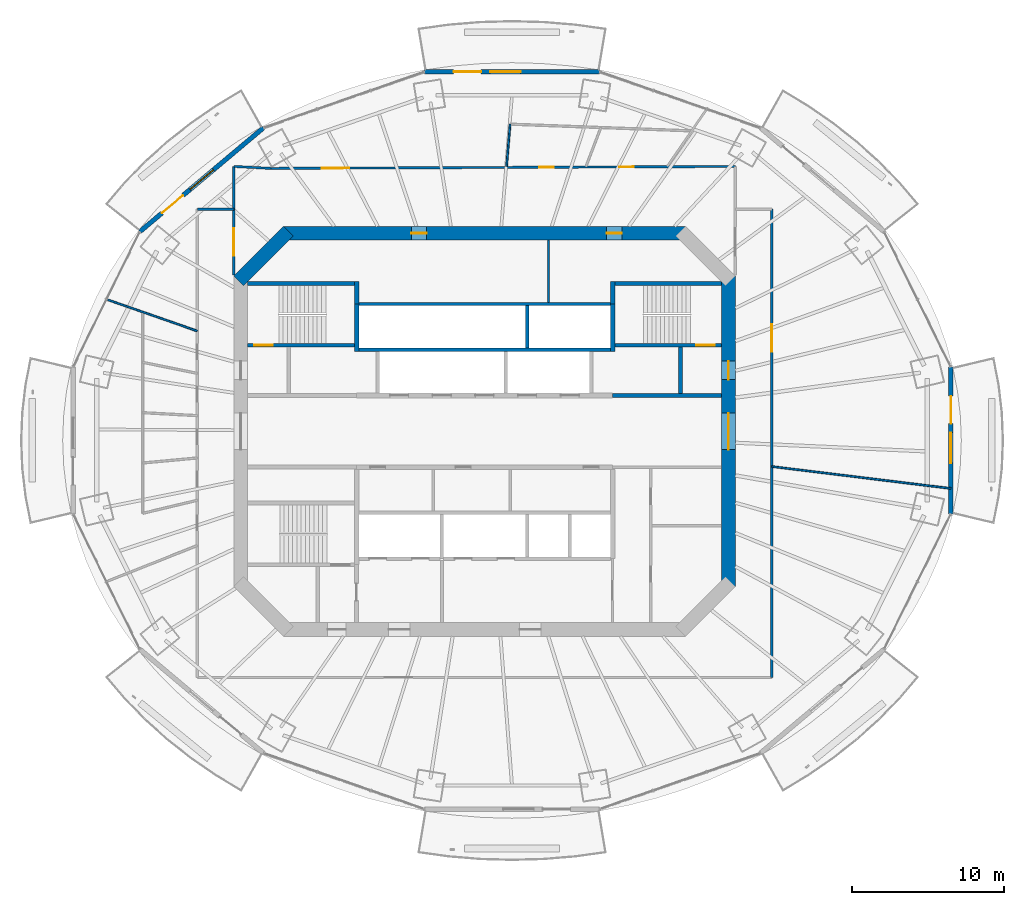
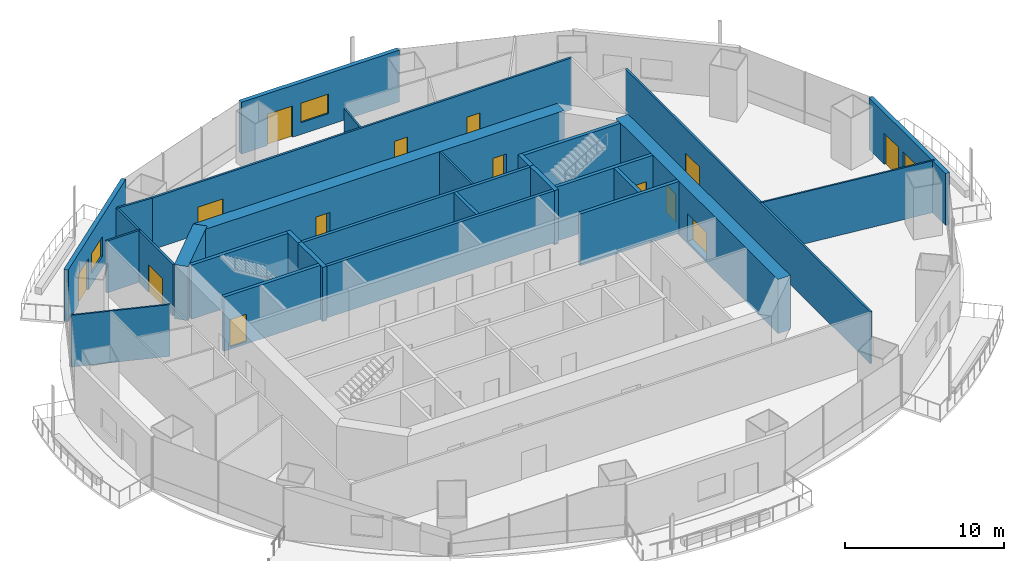
# One storey, part 12 of 18: 28 walls, 14 doors, 3 windows, 17 openings.
"""IFC4 building model written with IfcOpenShell, lengths in metres."""

from ifc_helpers import new_model, si_unit, direction, frame, frame_2d, origin, place, context, subcontext, project, spatial, rectangle, extrude, material, layer, layer_set, type_object, element, fill, save


model = new_model("IFC4")

# Units and contexts
model_context = context("Model", 3, precision=1e-05, world=origin(), true_north=direction((0.0, 1.0)))
body_context = subcontext(model_context, "Body", "Model", "MODEL_VIEW")
ifc_project = project(units=[si_unit("LENGTHUNIT", "METRE"), si_unit("AREAUNIT", "SQUARE_METRE"), si_unit("VOLUMEUNIT", "CUBIC_METRE"), si_unit("PLANEANGLEUNIT", "RADIAN"), si_unit("MASSUNIT", "GRAM", prefix="KILO")], contexts=[model_context])

# Site, building, storey
site_placement = place(None, origin())
site = spatial("IfcSite", under=ifc_project, at=site_placement, CompositionType="ELEMENT")
building_placement = place(site_placement, origin())
building = spatial("IfcBuilding", under=site, at=building_placement, Name="Marenthal Gate Tower", CompositionType="ELEMENT")
storey_placement = place(building_placement, frame((0.0, 0.0, 260.64990234375)))
storey = spatial("IfcBuildingStorey", under=building, at=storey_placement, Name="L58", CompositionType="ELEMENT", Elevation=260.64990234375)

# Wall, openings, doors
ifc_material_1 = material(Name="Concrete 60 MPa", Category="concrete")
ifc_layer_1 = layer(ifc_material_1, 0.89990234375)
ifc_layer_set_1 = layer_set([ifc_layer_1], Name="Core shear wall 900")
wall_type_1 = type_object("IfcWallType", Name="Core shear wall 900", PredefinedType="SHEAR", material=ifc_layer_set_1)
wall_1_placement = place(storey_placement, frame((16.0, -10.186279296875, -0.179931640625), z_axis=(0.0, 0.0, 1.0), x_axis=(0.0, 1.0, 0.0)))
wall_1 = element("IfcWall", 1, at=wall_1_placement, inside=storey, type_object=wall_type_1, Name="Core wall 02", PredefinedType="SHEAR", context=body_context, shape_type="SweptSolid", body=[
    extrude(rectangle(XDim=20.37255859375, YDim=0.89990234375, at=frame_2d((10.186279296875, 0.0))), origin(), (0.0, 0.0, 1.0), 4.150146484375),
])
opening_1_placement = place(wall_1_placement, frame((8.986328125, 0.0, 0.179931640625)))
opening_1 = element("IfcOpeningElement", 2, at=opening_1_placement, cuts=wall_1, Name="Opening D003.02", PredefinedType="OPENING", context=body_context, shape_type="SweptSolid", body=[
    extrude(rectangle(XDim=2.39990234375, YDim=2.10009765625, at=frame_2d((1.199951171875, 1.050048828125))), frame((0.0, 0.4599609375, 0.0), z_axis=(0.0, -1.0, 0.0), x_axis=(1.0, 0.0, 0.0)), (0.0, 0.0, 1.0), 0.919921875),
])
opening_2_placement = place(wall_1_placement, frame((13.58642578125, 0.0, 0.179931640625)))
opening_2 = element("IfcOpeningElement", 3, at=opening_2_placement, cuts=wall_1, Name="Opening D001.05", PredefinedType="OPENING", context=body_context, shape_type="SweptSolid", body=[
    extrude(rectangle(XDim=1.199951171875, YDim=2.10009765625, at=frame_2d((0.60009765625, 1.050048828125))), frame((0.0, 0.4599609375, 0.0), z_axis=(0.0, -1.0, 0.0), x_axis=(1.0, 0.0, 0.0)), (0.0, 0.0, 1.0), 0.919921875),
])
ifc_material_2 = material(Name="Steel fire door", Category="steel")
door_type_1 = type_object("IfcDoorType", Name="Double fire door FD 45 2400 x 2100", OperationType="DOUBLE_DOOR_SINGLE_SWING", PredefinedType="DOOR", material=ifc_material_2)
door_1_placement = place(opening_1_placement, origin())
door_1 = element("IfcDoor", 4, at=door_1_placement, inside=storey, type_object=door_type_1, Name="Door D003.02", OperationType="DOUBLE_DOOR_SINGLE_SWING", OverallHeight=2.10009765625, OverallWidth=2.39990234375, PredefinedType="DOOR", context=body_context, shape_type="SweptSolid", body=[
    extrude(rectangle(XDim=2.39990234375, YDim=2.10009765625, at=frame_2d((1.199951171875, 1.050048828125))), frame((0.0, 0.02490234375, 0.0), z_axis=(0.0, -1.0, 0.0), x_axis=(1.0, 0.0, 0.0)), (0.0, 0.0, 1.0), 0.050048828125),
])
fill(opening_1, door_1)
ifc_material_3 = material(Name="Steel fire door", Category="steel")
door_type_2 = type_object("IfcDoorType", Name="Fire door FD 90 1200 x 2100", OperationType="NOTDEFINED", PredefinedType="DOOR", material=ifc_material_3)
door_2_placement = place(opening_2_placement, origin())
door_2 = element("IfcDoor", 5, at=door_2_placement, inside=storey, type_object=door_type_2, Name="Door D001.05", OperationType="SINGLE_SWING_RIGHT", OverallHeight=2.10009765625, OverallWidth=1.199951171875, PredefinedType="DOOR", context=body_context, shape_type="SweptSolid", body=[
    extrude(rectangle(XDim=1.199951171875, YDim=2.10009765625, at=frame_2d((0.60009765625, 1.050048828125))), frame((0.0, 0.02490234375, 0.0), z_axis=(0.0, -1.0, 0.0), x_axis=(1.0, 0.0, 0.0)), (0.0, 0.0, 1.0), 0.050048828125),
])
fill(opening_2, door_2)

wall_2_placement = place(storey_placement, frame((13.186279296875, 13.0, -0.179931640625), z_axis=(0.0, 0.0, 1.0), x_axis=(-1.0, 0.0, 0.0)))
wall_2 = element("IfcWall", 6, at=wall_2_placement, inside=storey, type_object=wall_type_1, Name="Core wall 04", PredefinedType="SHEAR", context=body_context, shape_type="SweptSolid", body=[
    extrude(rectangle(XDim=26.37255859375, YDim=0.89990234375, at=frame_2d((13.186279296875, 0.0))), origin(), (0.0, 0.0, 1.0), 4.150146484375),
])
opening_3_placement = place(wall_2_placement, frame((16.993408203125, 0.0, 0.179931640625)))
opening_3 = element("IfcOpeningElement", 7, at=opening_3_placement, cuts=wall_2, Name="Opening D005.04", PredefinedType="OPENING", context=body_context, shape_type="SweptSolid", body=[
    extrude(rectangle(XDim=1.0, YDim=2.10009765625, at=frame_2d((0.5, 1.050048828125))), frame((0.0, 0.4599609375, 0.0), z_axis=(0.0, -1.0, 0.0), x_axis=(1.0, 0.0, 0.0)), (0.0, 0.0, 1.0), 0.919921875),
])
opening_4_placement = place(wall_2_placement, frame((4.179443359375, 0.0, 0.179931640625)))
opening_4 = element("IfcOpeningElement", 8, at=opening_4_placement, cuts=wall_2, Name="Opening D005.05", PredefinedType="OPENING", context=body_context, shape_type="SweptSolid", body=[
    extrude(rectangle(XDim=1.0, YDim=2.10009765625, at=frame_2d((0.5, 1.050048828125))), frame((0.0, 0.4599609375, 0.0), z_axis=(0.0, -1.0, 0.0), x_axis=(1.0, 0.0, 0.0)), (0.0, 0.0, 1.0), 0.919921875),
])
ifc_material_4 = material(Name="Steel fire door", Category="steel")
door_type_3 = type_object("IfcDoorType", Name="Fire door FD 45 1000 x 2100", OperationType="NOTDEFINED", PredefinedType="DOOR", material=ifc_material_4)
door_3_placement = place(opening_3_placement, origin())
door_3 = element("IfcDoor", 9, at=door_3_placement, inside=storey, type_object=door_type_3, Name="Door D005.04", OperationType="SINGLE_SWING_RIGHT", OverallHeight=2.10009765625, OverallWidth=1.0, PredefinedType="DOOR", context=body_context, shape_type="SweptSolid", body=[
    extrude(rectangle(XDim=1.0, YDim=2.10009765625, at=frame_2d((0.5, 1.050048828125))), frame((0.0, 0.02490234375, 0.0), z_axis=(0.0, -1.0, 0.0), x_axis=(1.0, 0.0, 0.0)), (0.0, 0.0, 1.0), 0.050048828125),
])
fill(opening_3, door_3)
door_4_placement = place(opening_4_placement, origin())
door_4 = element("IfcDoor", 10, at=door_4_placement, inside=storey, type_object=door_type_3, Name="Door D005.05", OperationType="SINGLE_SWING_RIGHT", OverallHeight=2.10009765625, OverallWidth=1.0, PredefinedType="DOOR", context=body_context, shape_type="SweptSolid", body=[
    extrude(rectangle(XDim=1.0, YDim=2.10009765625, at=frame_2d((0.5, 1.050048828125))), frame((0.0, 0.02490234375, 0.0), z_axis=(0.0, -1.0, 0.0), x_axis=(1.0, 0.0, 0.0)), (0.0, 0.0, 1.0), 0.050048828125),
])
fill(opening_4, door_4)

# Walls
wall_3_placement = place(storey_placement, frame((-12.8681640625, 13.1318359375, -0.179931640625), z_axis=(0.0, 0.0, 1.0), x_axis=(-0.707106781187, -0.707106781187, 0.0)))
element("IfcWall", 11, at=wall_3_placement, inside=storey, type_object=wall_type_1, Name="Core wall 05", PredefinedType="SHEAR", context=body_context, shape_type="SweptSolid", body=[
    extrude(rectangle(XDim=4.615478515625, YDim=0.89990234375, at=frame_2d((2.3076171875, 0.0))), origin(), (0.0, 0.0, 1.0), 4.150146484375),
])
ifc_material_5 = material(Name="Concrete 50 MPa", Category="concrete")
ifc_layer_2 = layer(ifc_material_5, 0.300048828125)
ifc_layer_set_2 = layer_set([ifc_layer_2], Name="Hoistway shear wall 300")
wall_type_2 = type_object("IfcWallType", Name="Hoistway shear wall 300", PredefinedType="SHEAR", material=ifc_layer_set_2)
for number, where, z_axis, x_axis, name in (
    (12, (-8.39990234375, 5.239990234375, -0.179931640625), (0.0, 0.0, 1.0), (0.0, 1.0, 0.0), "Hoistway wall 31"),
    (13, (8.39990234375, 5.239990234375, -0.179931640625), (0.0, 0.0, 1.0), (0.0, 1.0, 0.0), "Hoistway wall 46"),
):
    element("IfcWall", number, at=place(storey_placement, frame(where, z_axis=z_axis, x_axis=x_axis)), inside=storey, type_object=wall_type_2, Name=name, PredefinedType="SHEAR", context=body_context, shape_type="SweptSolid", body=[
        extrude(rectangle(XDim=3.110107421875, YDim=0.300048828125, at=frame_2d((1.55517578125, 0.0))), origin(), (0.0, 0.0, 1.0), 4.150146484375),
    ])
ifc_material_6 = material(Name="Concrete 40 MPa", Category="concrete")
ifc_layer_3 = layer(ifc_material_6, 0.219970703125)
ifc_layer_set_3 = layer_set([ifc_layer_3], Name="Hoistway wall 220")
wall_type_3 = type_object("IfcWallType", Name="Hoistway wall 220", PredefinedType="STANDARD", material=ifc_layer_set_3)
for number, where, z_axis, x_axis, name in (
    (14, (-8.25, 5.35009765625, 0.0), (0.0, 0.0, 1.0), (1.0, 0.0, 0.0), "Hoistway wall 21"),
    (15, (-8.25, 8.35009765625, 0.0), (0.0, 0.0, 1.0), (1.0, 0.0, 0.0), "Hoistway wall 24"),
):
    element("IfcWall", number, at=place(storey_placement, frame(where, z_axis=z_axis, x_axis=x_axis)), inside=storey, type_object=wall_type_3, Name=name, PredefinedType="STANDARD", context=body_context, shape_type="SweptSolid", body=[
        extrude(rectangle(XDim=16.5, YDim=0.219970703125, at=frame_2d((8.25, 0.0))), origin(), (0.0, 0.0, 1.0), 3.97021484375),
    ])
wall_4_placement = place(storey_placement, frame((2.800048828125, 5.4599609375, 0.0), z_axis=(0.0, 0.0, 1.0), x_axis=(0.0, 1.0, 0.0)))
element("IfcWall", 16, at=wall_4_placement, inside=storey, type_object=wall_type_3, Name="Hoistway wall 40", PredefinedType="STANDARD", context=body_context, shape_type="SweptSolid", body=[
    extrude(rectangle(XDim=2.780029296875, YDim=0.219970703125, at=frame_2d((1.39013671875, 0.0))), origin(), (0.0, 0.0, 1.0), 3.97021484375),
])
ifc_material_7 = material(Name="Gypsum board on steel studs", Category="steel")
ifc_layer_4 = layer(ifc_material_7, 0.1201171875)
ifc_layer_set_4 = layer_set([ifc_layer_4], Name="Partition 120")
wall_type_4 = type_object("IfcWallType", Name="Partition 120", PredefinedType="PARTITIONING", material=ifc_layer_set_4)
wall_5_placement = place(storey_placement, frame((-18.85009765625, 6.580078125, 0.0), z_axis=(0.0, 0.0, 1.0), x_axis=(-0.944129608836, 0.329574394819, 0.0)))
element("IfcWall", 17, at=wall_5_placement, inside=storey, type_object=wall_type_4, Name="Partition wall 57", PredefinedType="PARTITIONING", context=body_context, shape_type="SweptSolid", body=[
    extrude(rectangle(XDim=6.306884765625, YDim=0.1201171875, at=frame_2d((3.1533203125, 0.0))), origin(), (0.0, 0.0, 1.0), 3.97021484375),
])
wall_6_placement = place(storey_placement, frame((1.67431640625, 20.154052734375, 0.0), z_axis=(0.0, 0.0, 1.0), x_axis=(-0.082798678208, -0.996566294276, 0.0)))
element("IfcWall", 18, at=wall_6_placement, inside=storey, type_object=wall_type_4, Name="Partition wall 62", PredefinedType="PARTITIONING", context=body_context, shape_type="SweptSolid", body=[
    extrude(rectangle(XDim=2.783447265625, YDim=0.1201171875, at=frame_2d((1.3916015625, 0.0))), origin(), (0.0, 0.0, 1.0), 3.552978515625),
])
wall_7_placement = place(storey_placement, frame((18.85009765625, -2.310302734375, 0.0), z_axis=(0.0, 0.0, 1.0), x_axis=(0.99257271965, -0.121652769002, 0.0)))
element("IfcWall", 19, at=wall_7_placement, inside=storey, type_object=wall_type_4, Name="Partition wall 69", PredefinedType="PARTITIONING", context=body_context, shape_type="SweptSolid", body=[
    extrude(rectangle(XDim=11.83447265625, YDim=0.1201171875, at=frame_2d((5.917236328125, 0.0))), origin(), (0.0, 0.0, 1.0), 3.97021484375),
])
ifc_material_8 = material(Name="Gypsum board on steel studs", Category="steel")
ifc_layer_5 = layer(ifc_material_8, 0.14990234375)
ifc_layer_set_5 = layer_set([ifc_layer_5], Name="Partition 150")
wall_type_5 = type_object("IfcWallType", Name="Partition 150", PredefinedType="PARTITIONING", material=ifc_layer_set_5)
wall_8_placement = place(storey_placement, frame((4.199951171875, 8.4599609375, 0.0), z_axis=(0.0, 0.0, 1.0), x_axis=(0.0, 1.0, 0.0)))
element("IfcWall", 20, at=wall_8_placement, inside=storey, type_object=wall_type_5, Name="Partition wall 41", PredefinedType="PARTITIONING", context=body_context, shape_type="SweptSolid", body=[
    extrude(rectangle(XDim=4.090087890625, YDim=0.14990234375, at=frame_2d((2.044921875, 0.0))), origin(), (0.0, 0.0, 1.0), 3.97021484375),
])
wall_9_placement = place(storey_placement, frame((-18.85009765625, 14.580078125, 0.0), z_axis=(0.0, 0.0, 1.0), x_axis=(1.0, 0.0, 0.0)))
element("IfcWall", 21, at=wall_9_placement, inside=storey, type_object=wall_type_5, Name="Partition wall 58", PredefinedType="PARTITIONING", context=body_context, shape_type="SweptSolid", body=[
    extrude(rectangle(XDim=2.400146484375, YDim=0.14990234375, at=frame_2d((1.2001953125, 0.0))), origin(), (0.0, 0.0, 1.0), 3.97021484375),
])

# Wall, opening, door
wall_10_placement = place(storey_placement, frame((-16.449951171875, 10.25, 0.0), z_axis=(0.0, 0.0, 1.0), x_axis=(0.0, 1.0, 0.0)))
wall_10 = element("IfcWall", 22, at=wall_10_placement, inside=storey, type_object=wall_type_5, Name="Partition wall 59", PredefinedType="PARTITIONING", context=body_context, shape_type="SweptSolid", body=[
    extrude(rectangle(XDim=7.130126953125, YDim=0.14990234375, at=frame_2d((3.56494140625, 0.0))), origin(), (0.0, 0.0, 1.0), 3.97021484375),
])
opening_5_placement = place(wall_10_placement, frame((1.264892578125, 0.0, 0.0)))
opening_5 = element("IfcOpeningElement", 23, at=opening_5_placement, cuts=wall_10, Name="Opening D014.04", PredefinedType="OPENING", context=body_context, shape_type="SweptSolid", body=[
    extrude(rectangle(XDim=1.800048828125, YDim=2.10009765625, at=frame_2d((0.89990234375, 1.050048828125))), frame((0.0, 0.0849609375, 0.0), z_axis=(0.0, -1.0, 0.0), x_axis=(1.0, 0.0, 0.0)), (0.0, 0.0, 1.0), 0.169921875),
])
ifc_material_9 = material(Name="Timber door", Category="wood")
door_type_4 = type_object("IfcDoorType", Name="Double door 1800 x 2100", OperationType="DOUBLE_DOOR_SINGLE_SWING", PredefinedType="DOOR", material=ifc_material_9)
door_5_placement = place(opening_5_placement, origin())
door_5 = element("IfcDoor", 24, at=door_5_placement, inside=storey, type_object=door_type_4, Name="Door D014.04", OperationType="DOUBLE_DOOR_SINGLE_SWING", OverallHeight=2.10009765625, OverallWidth=1.800048828125, PredefinedType="DOOR", context=body_context, shape_type="SweptSolid", body=[
    extrude(rectangle(XDim=1.800048828125, YDim=2.10009765625, at=frame_2d((0.89990234375, 1.050048828125))), frame((0.0, 0.02490234375, 0.0), z_axis=(0.0, -1.0, 0.0), x_axis=(1.0, 0.0, 0.0)), (0.0, 0.0, 1.0), 0.050048828125),
])
fill(opening_5, door_5)

# Wall
wall_11_placement = place(storey_placement, frame((-16.449951171875, 17.380126953125, 0.0), z_axis=(0.0, 0.0, 1.0), x_axis=(0.998580451671, -0.05326426138, 0.0)))
element("IfcWall", 25, at=wall_11_placement, inside=storey, type_object=wall_type_5, Name="Partition wall 60", PredefinedType="PARTITIONING", context=body_context, shape_type="SweptSolid", body=[
    extrude(rectangle(XDim=2.4521484375, YDim=0.14990234375, at=frame_2d((1.22607421875, 0.0))), origin(), (0.0, 0.0, 1.0), 3.97021484375),
])

# Wall, openings, doors
wall_12_placement = place(storey_placement, frame((-14.001220703125, 17.24951171875, 0.0), z_axis=(0.0, 0.0, 1.0), x_axis=(0.999990800936, 0.004289294132, 0.0)))
wall_12 = element("IfcWall", 26, at=wall_12_placement, inside=storey, type_object=wall_type_5, Name="Partition wall 61", PredefinedType="PARTITIONING", context=body_context, shape_type="SweptSolid", body=[
    extrude(rectangle(XDim=30.451416015625, YDim=0.14990234375, at=frame_2d((15.2255859375, 0.0))), origin(), (0.0, 0.0, 1.0), 3.97021484375),
])
opening_6_placement = place(wall_12_placement, frame((22.843994140625, 0.0, 0.0)))
opening_6 = element("IfcOpeningElement", 27, at=opening_6_placement, cuts=wall_12, Name="Opening D016.01", PredefinedType="OPENING", context=body_context, shape_type="SweptSolid", body=[
    extrude(rectangle(XDim=0.949951171875, YDim=2.10009765625, at=frame_2d((0.47509765625, 1.050048828125))), frame((0.0, 0.0849609375, 0.0), z_axis=(0.0, -1.0, 0.0), x_axis=(1.0, 0.0, 0.0)), (0.0, 0.0, 1.0), 0.169921875),
])
opening_7_placement = place(wall_12_placement, frame((17.575927734375, 0.0, 0.0)))
opening_7 = element("IfcOpeningElement", 28, at=opening_7_placement, cuts=wall_12, Name="Opening D016.02", PredefinedType="OPENING", context=body_context, shape_type="SweptSolid", body=[
    extrude(rectangle(XDim=0.949951171875, YDim=2.10009765625, at=frame_2d((0.47509765625, 1.050048828125))), frame((0.0, 0.0849609375, 0.0), z_axis=(0.0, -1.0, 0.0), x_axis=(1.0, 0.0, 0.0)), (0.0, 0.0, 1.0), 0.169921875),
])
opening_8_placement = place(wall_12_placement, frame((3.318115234375, 0.0, 0.0)))
opening_8 = element("IfcOpeningElement", 29, at=opening_8_placement, cuts=wall_12, Name="Opening D014.01", PredefinedType="OPENING", context=body_context, shape_type="SweptSolid", body=[
    extrude(rectangle(XDim=1.800048828125, YDim=2.10009765625, at=frame_2d((0.89990234375, 1.050048828125))), frame((0.0, 0.0849609375, 0.0), z_axis=(0.0, -1.0, 0.0), x_axis=(1.0, 0.0, 0.0)), (0.0, 0.0, 1.0), 0.169921875),
])
ifc_material_10 = material(Name="Timber door", Category="wood")
door_type_5 = type_object("IfcDoorType", Name="Door 950 x 2100", OperationType="NOTDEFINED", PredefinedType="DOOR", material=ifc_material_10)
door_6_placement = place(opening_6_placement, origin())
door_6 = element("IfcDoor", 30, at=door_6_placement, inside=storey, type_object=door_type_5, Name="Door D016.01", OperationType="SINGLE_SWING_RIGHT", OverallHeight=2.10009765625, OverallWidth=0.949951171875, PredefinedType="DOOR", context=body_context, shape_type="SweptSolid", body=[
    extrude(rectangle(XDim=0.949951171875, YDim=2.10009765625, at=frame_2d((0.47509765625, 1.050048828125))), frame((0.0, 0.02490234375, 0.0), z_axis=(0.0, -1.0, 0.0), x_axis=(1.0, 0.0, 0.0)), (0.0, 0.0, 1.0), 0.050048828125),
])
fill(opening_6, door_6)
door_7_placement = place(opening_7_placement, origin())
door_7 = element("IfcDoor", 31, at=door_7_placement, inside=storey, type_object=door_type_5, Name="Door D016.02", OperationType="SINGLE_SWING_RIGHT", OverallHeight=2.10009765625, OverallWidth=0.949951171875, PredefinedType="DOOR", context=body_context, shape_type="SweptSolid", body=[
    extrude(rectangle(XDim=0.949951171875, YDim=2.10009765625, at=frame_2d((0.47509765625, 1.050048828125))), frame((0.0, 0.02490234375, 0.0), z_axis=(0.0, -1.0, 0.0), x_axis=(1.0, 0.0, 0.0)), (0.0, 0.0, 1.0), 0.050048828125),
])
fill(opening_7, door_7)
door_8_placement = place(opening_8_placement, origin())
door_8 = element("IfcDoor", 32, at=door_8_placement, inside=storey, type_object=door_type_4, Name="Door D014.01", OperationType="DOUBLE_DOOR_SINGLE_SWING", OverallHeight=2.10009765625, OverallWidth=1.800048828125, PredefinedType="DOOR", context=body_context, shape_type="SweptSolid", body=[
    extrude(rectangle(XDim=1.800048828125, YDim=2.10009765625, at=frame_2d((0.89990234375, 1.050048828125))), frame((0.0, 0.02490234375, 0.0), z_axis=(0.0, -1.0, 0.0), x_axis=(1.0, 0.0, 0.0)), (0.0, 0.0, 1.0), 0.050048828125),
])
fill(opening_8, door_8)

# Wall, opening, door
wall_13_placement = place(storey_placement, frame((18.85009765625, 14.580078125, 0.0), z_axis=(0.0, 0.0, 1.0), x_axis=(0.0, -1.0, 0.0)))
wall_13 = element("IfcWall", 33, at=wall_13_placement, inside=storey, type_object=wall_type_5, Name="Partition wall 70", PredefinedType="PARTITIONING", context=body_context, shape_type="SweptSolid", body=[
    extrude(rectangle(XDim=30.72998046875, YDim=0.14990234375, at=frame_2d((15.364990234375, 0.0))), origin(), (0.0, 0.0, 1.0), 3.97021484375),
])
opening_9_placement = place(wall_13_placement, frame((7.544921875, 0.0, 0.0)))
opening_9 = element("IfcOpeningElement", 34, at=opening_9_placement, cuts=wall_13, Name="Opening D014.03", PredefinedType="OPENING", context=body_context, shape_type="SweptSolid", body=[
    extrude(rectangle(XDim=1.800048828125, YDim=2.10009765625, at=frame_2d((0.89990234375, 1.050048828125))), frame((0.0, 0.0849609375, 0.0), z_axis=(0.0, -1.0, 0.0), x_axis=(1.0, 0.0, 0.0)), (0.0, 0.0, 1.0), 0.169921875),
])
door_9_placement = place(opening_9_placement, origin())
door_9 = element("IfcDoor", 35, at=door_9_placement, inside=storey, type_object=door_type_4, Name="Door D014.03", OperationType="DOUBLE_DOOR_SINGLE_SWING", OverallHeight=2.10009765625, OverallWidth=1.800048828125, PredefinedType="DOOR", context=body_context, shape_type="SweptSolid", body=[
    extrude(rectangle(XDim=1.800048828125, YDim=2.10009765625, at=frame_2d((0.89990234375, 1.050048828125))), frame((0.0, 0.02490234375, 0.0), z_axis=(0.0, -1.0, 0.0), x_axis=(1.0, 0.0, 0.0)), (0.0, 0.0, 1.0), 0.050048828125),
])
fill(opening_9, door_9)

# Walls
ifc_material_11 = material(Name="Concrete 40 MPa", Category="concrete")
ifc_layer_6 = layer(ifc_material_11, 0.25)
ifc_layer_set_6 = layer_set([ifc_layer_6], Name="Stair enclosure wall 250")
wall_type_6 = type_object("IfcWallType", Name="Stair enclosure wall 250", PredefinedType="STANDARD", material=ifc_layer_set_6)
wall_14_placement = place(storey_placement, frame((8.39990234375, 2.35009765625, 0.0), z_axis=(0.0, 0.0, 1.0), x_axis=(1.0, 0.0, 0.0)))
element("IfcWall", 36, at=wall_14_placement, inside=storey, type_object=wall_type_6, Name="Stair wall 20", PredefinedType="STANDARD", context=body_context, shape_type="SweptSolid", body=[
    extrude(rectangle(XDim=7.150146484375, YDim=0.25, at=frame_2d((3.5751953125, 0.0))), origin(), (0.0, 0.0, 1.0), 3.97021484375),
])
wall_15_placement = place(storey_placement, frame((12.85009765625, 2.47509765625, 0.0), z_axis=(0.0, 0.0, 1.0), x_axis=(0.0, 1.0, 0.0)))
element("IfcWall", 37, at=wall_15_placement, inside=storey, type_object=wall_type_6, Name="Stair wall 49", PredefinedType="STANDARD", context=body_context, shape_type="SweptSolid", body=[
    extrude(rectangle(XDim=3.0498046875, YDim=0.25, at=frame_2d((1.52490234375, 0.0))), origin(), (0.0, 0.0, 1.0), 3.97021484375),
])

# Wall, opening, door
ifc_material_12 = material(Name="Concrete 50 MPa", Category="concrete")
ifc_layer_7 = layer(ifc_material_12, 0.25)
ifc_layer_set_7 = layer_set([ifc_layer_7], Name="Stair shear wall 250")
wall_type_7 = type_object("IfcWallType", Name="Stair shear wall 250", PredefinedType="SHEAR", material=ifc_layer_set_7)
wall_16_placement = place(storey_placement, frame((-15.550048828125, 5.64990234375, -0.179931640625), z_axis=(0.0, 0.0, 1.0), x_axis=(1.0, 0.0, 0.0)))
wall_16 = element("IfcWall", 38, at=wall_16_placement, inside=storey, type_object=wall_type_7, Name="Stair wall 22", PredefinedType="SHEAR", context=body_context, shape_type="SweptSolid", body=[
    extrude(rectangle(XDim=7.0, YDim=0.25, at=frame_2d((3.5, 0.0))), origin(), (0.0, 0.0, 1.0), 4.150146484375),
])
opening_10_placement = place(wall_16_placement, frame((0.449951171875, 0.0, 0.179931640625)))
opening_10 = element("IfcOpeningElement", 39, at=opening_10_placement, cuts=wall_16, Name="Opening D001.01", PredefinedType="OPENING", context=body_context, shape_type="SweptSolid", body=[
    extrude(rectangle(XDim=1.199951171875, YDim=2.10009765625, at=frame_2d((0.60009765625, 1.050048828125))), frame((0.0, 0.135009765625, 0.0), z_axis=(0.0, -1.0, 0.0), x_axis=(1.0, 0.0, 0.0)), (0.0, 0.0, 1.0), 0.27001953125),
])
door_10_placement = place(opening_10_placement, origin())
door_10 = element("IfcDoor", 40, at=door_10_placement, inside=storey, type_object=door_type_2, Name="Door D001.01", OperationType="SINGLE_SWING_RIGHT", OverallHeight=2.10009765625, OverallWidth=1.199951171875, PredefinedType="DOOR", context=body_context, shape_type="SweptSolid", body=[
    extrude(rectangle(XDim=1.199951171875, YDim=2.10009765625, at=frame_2d((0.60009765625, 1.050048828125))), frame((0.0, 0.02490234375, 0.0), z_axis=(0.0, -1.0, 0.0), x_axis=(1.0, 0.0, 0.0)), (0.0, 0.0, 1.0), 0.050048828125),
])
fill(opening_10, door_10)

wall_17_placement = place(storey_placement, frame((8.550048828125, 5.64990234375, -0.179931640625), z_axis=(0.0, 0.0, 1.0), x_axis=(1.0, 0.0, 0.0)))
wall_17 = element("IfcWall", 41, at=wall_17_placement, inside=storey, type_object=wall_type_7, Name="Stair wall 23", PredefinedType="SHEAR", context=body_context, shape_type="SweptSolid", body=[
    extrude(rectangle(XDim=7.0, YDim=0.25, at=frame_2d((3.5, 0.0))), origin(), (0.0, 0.0, 1.0), 4.150146484375),
])
opening_11_placement = place(wall_17_placement, frame((5.35009765625, 0.0, 0.179931640625)))
opening_11 = element("IfcOpeningElement", 42, at=opening_11_placement, cuts=wall_17, Name="Opening D001.02", PredefinedType="OPENING", context=body_context, shape_type="SweptSolid", body=[
    extrude(rectangle(XDim=1.199951171875, YDim=2.10009765625, at=frame_2d((0.60009765625, 1.050048828125))), frame((0.0, 0.135009765625, 0.0), z_axis=(0.0, -1.0, 0.0), x_axis=(1.0, 0.0, 0.0)), (0.0, 0.0, 1.0), 0.27001953125),
])
door_11_placement = place(opening_11_placement, origin())
door_11 = element("IfcDoor", 43, at=door_11_placement, inside=storey, type_object=door_type_2, Name="Door D001.02", OperationType="SINGLE_SWING_RIGHT", OverallHeight=2.10009765625, OverallWidth=1.199951171875, PredefinedType="DOOR", context=body_context, shape_type="SweptSolid", body=[
    extrude(rectangle(XDim=1.199951171875, YDim=2.10009765625, at=frame_2d((0.60009765625, 1.050048828125))), frame((0.0, 0.02490234375, 0.0), z_axis=(0.0, -1.0, 0.0), x_axis=(1.0, 0.0, 0.0)), (0.0, 0.0, 1.0), 0.050048828125),
])
fill(opening_11, door_11)

# Walls
for number, where, z_axis, x_axis, name in (
    (44, (-15.550048828125, 9.699951171875, -0.179931640625), (0.0, 0.0, 1.0), (1.0, 0.0, 0.0), "Stair wall 25"),
    (45, (8.550048828125, 9.699951171875, -0.179931640625), (0.0, 0.0, 1.0), (1.0, 0.0, 0.0), "Stair wall 26"),
):
    element("IfcWall", number, at=place(storey_placement, frame(where, z_axis=z_axis, x_axis=x_axis)), inside=storey, type_object=wall_type_7, Name=name, PredefinedType="SHEAR", context=body_context, shape_type="SweptSolid", body=[
        extrude(rectangle(XDim=7.0, YDim=0.25, at=frame_2d((3.5, 0.0))), origin(), (0.0, 0.0, 1.0), 4.150146484375),
    ])
ifc_material_13 = material(Name="Concrete 50 MPa", Category="concrete")
ifc_layer_8 = layer(ifc_material_13, 0.300048828125)
ifc_layer_set_8 = layer_set([ifc_layer_8], Name="Stair shear wall 300")
wall_type_8 = type_object("IfcWallType", Name="Stair shear wall 300", PredefinedType="SHEAR", material=ifc_layer_set_8)
for number, where, z_axis, x_axis, name in (
    (46, (-8.39990234375, 8.35009765625, -0.179931640625), (0.0, 0.0, 1.0), (0.0, 1.0, 0.0), "Stair wall 32"),
    (47, (8.39990234375, 8.35009765625, -0.179931640625), (0.0, 0.0, 1.0), (0.0, 1.0, 0.0), "Stair wall 47"),
):
    element("IfcWall", number, at=place(storey_placement, frame(where, z_axis=z_axis, x_axis=x_axis)), inside=storey, type_object=wall_type_8, Name=name, PredefinedType="SHEAR", context=body_context, shape_type="SweptSolid", body=[
        extrude(rectangle(XDim=1.474853515625, YDim=0.300048828125, at=frame_2d((0.7373046875, 0.0))), origin(), (0.0, 0.0, 1.0), 4.150146484375),
    ])

# Wall, openings, door, window
ifc_material_14 = material(Name="Terracotta cladding on insulated concrete-block backing", Category="masonry")
ifc_layer_9 = layer(ifc_material_14, 0.300048828125)
ifc_layer_set_9 = layer_set([ifc_layer_9], Name="Terracotta facade wall 300")
wall_type_9 = type_object("IfcWallType", Name="Terracotta facade wall 300", PredefinedType="SOLIDWALL", material=ifc_layer_set_9)
wall_18_placement = place(storey_placement, frame((7.528076171875, 23.593994140625, 0.0), z_axis=(0.0, 0.0, 1.0), x_axis=(-1.0, 0.0, 0.0)))
wall_18 = element("IfcWall", 48, at=wall_18_placement, inside=storey, type_object=wall_type_9, Name="Terracotta facade wall L58 bay 4", PredefinedType="SOLIDWALL", context=body_context, shape_type="SweptSolid", body=[
    extrude(rectangle(XDim=11.4560546875, YDim=0.300048828125, at=frame_2d((5.72802734375, 0.0))), origin(), (0.0, 0.0, 1.0), 3.97021484375),
])
opening_12_placement = place(wall_18_placement, frame((7.756103515625, 0.0, 0.0)))
opening_12 = element("IfcOpeningElement", 49, at=opening_12_placement, cuts=wall_18, Name="Opening BD-L58-04", PredefinedType="OPENING", context=body_context, shape_type="SweptSolid", body=[
    extrude(rectangle(XDim=1.800048828125, YDim=2.39990234375, at=frame_2d((0.89990234375, 1.199951171875))), frame((0.0, 0.16015625, 0.0), z_axis=(0.0, -1.0, 0.0), x_axis=(1.0, 0.0, 0.0)), (0.0, 0.0, 1.0), 0.320068359375),
])
opening_13_placement = place(wall_18_placement, frame((5.156005859375, 0.0, 0.89990234375)))
opening_13 = element("IfcOpeningElement", 50, at=opening_13_placement, cuts=wall_18, Name="Opening WN2-L58-04", PredefinedType="OPENING", context=body_context, shape_type="SweptSolid", body=[
    extrude(rectangle(XDim=2.0, YDim=1.5, at=frame_2d((1.0, 0.75))), frame((0.0, 0.16015625, 0.0), z_axis=(0.0, -1.0, 0.0), x_axis=(1.0, 0.0, 0.0)), (0.0, 0.0, 1.0), 0.320068359375),
])
ifc_material_15 = material(Name="Aluminium and glass", Category="aluminium")
door_type_6 = type_object("IfcDoorType", Name="Balcony door 1800x2400", OperationType="DOUBLE_DOOR_SINGLE_SWING", PredefinedType="DOOR", material=ifc_material_15)
door_12_placement = place(opening_12_placement, origin())
door_12 = element("IfcDoor", 51, at=door_12_placement, inside=storey, type_object=door_type_6, Name="Balcony door L58 bay 4", OperationType="SINGLE_SWING_LEFT", OverallHeight=2.39990234375, OverallWidth=1.800048828125, PredefinedType="DOOR", context=body_context, shape_type="SweptSolid", body=[
    extrude(rectangle(XDim=1.800048828125, YDim=2.39990234375, at=frame_2d((0.89990234375, 1.199951171875))), frame((0.0, 0.02490234375, 0.0), z_axis=(0.0, -1.0, 0.0), x_axis=(1.0, 0.0, 0.0)), (0.0, 0.0, 1.0), 0.050048828125),
])
fill(opening_12, door_12)
ifc_material_16 = material(Name="Aluminium and glass", Category="aluminium")
window_type = type_object("IfcWindowType", Name="Window 2000x1500", PartitioningType="DOUBLE_PANEL_VERTICAL", PredefinedType="WINDOW", material=ifc_material_16)
window_1_placement = place(opening_13_placement, origin())
window_1 = element("IfcWindow", 52, at=window_1_placement, inside=storey, type_object=window_type, Name="Window L58 bay 4", OverallHeight=1.5, OverallWidth=2.0, PartitioningType="SINGLE_PANEL", PredefinedType="WINDOW", context=body_context, shape_type="SweptSolid", body=[
    extrude(rectangle(XDim=2.0, YDim=1.5, at=frame_2d((1.0, 0.75))), frame((0.0, 0.030029296875, 0.0), z_axis=(0.0, -1.0, 0.0), x_axis=(1.0, 0.0, 0.0)), (0.0, 0.0, 1.0), 0.06005859375),
])
fill(opening_13, window_1)

wall_19_placement = place(storey_placement, frame((-14.51220703125, 19.91064453125, 0.0), z_axis=(0.0, 0.0, 1.0), x_axis=(-0.76563894676, -0.643270552104, 0.0)))
wall_19 = element("IfcWall", 53, at=wall_19_placement, inside=storey, type_object=wall_type_9, Name="Terracotta facade wall L58 bay 6", PredefinedType="SOLIDWALL", context=body_context, shape_type="SweptSolid", body=[
    extrude(rectangle(XDim=10.580078125, YDim=0.300048828125, at=frame_2d((5.2900390625, 0.0))), origin(), (0.0, 0.0, 1.0), 3.97021484375),
])
opening_14_placement = place(wall_19_placement, frame((6.880126953125, 0.0, 0.0)))
opening_14 = element("IfcOpeningElement", 54, at=opening_14_placement, cuts=wall_19, Name="Opening BD-L58-06", PredefinedType="OPENING", context=body_context, shape_type="SweptSolid", body=[
    extrude(rectangle(XDim=1.800048828125, YDim=2.39990234375, at=frame_2d((0.89990234375, 1.199951171875))), frame((0.0, 0.16015625, 0.0), z_axis=(0.0, -1.0, 0.0), x_axis=(1.0, 0.0, 0.0)), (0.0, 0.0, 1.0), 0.320068359375),
])
opening_15_placement = place(wall_19_placement, frame((4.2802734375, 0.0, 0.89990234375)))
opening_15 = element("IfcOpeningElement", 55, at=opening_15_placement, cuts=wall_19, Name="Opening WN2-L58-06", PredefinedType="OPENING", context=body_context, shape_type="SweptSolid", body=[
    extrude(rectangle(XDim=2.0, YDim=1.5, at=frame_2d((1.0, 0.75))), frame((0.0, 0.16015625, 0.0), z_axis=(0.0, -1.0, 0.0), x_axis=(1.0, 0.0, 0.0)), (0.0, 0.0, 1.0), 0.320068359375),
])
door_13_placement = place(opening_14_placement, origin())
door_13 = element("IfcDoor", 56, at=door_13_placement, inside=storey, type_object=door_type_6, Name="Balcony door L58 bay 6", OperationType="SINGLE_SWING_LEFT", OverallHeight=2.39990234375, OverallWidth=1.800048828125, PredefinedType="DOOR", context=body_context, shape_type="SweptSolid", body=[
    extrude(rectangle(XDim=1.800048828125, YDim=2.39990234375, at=frame_2d((0.89990234375, 1.199951171875))), frame((0.0, 0.02490234375, 0.0), z_axis=(0.0, -1.0, 0.0), x_axis=(1.0, 0.0, 0.0)), (0.0, 0.0, 1.0), 0.050048828125),
])
fill(opening_14, door_13)
window_2_placement = place(opening_15_placement, origin())
window_2 = element("IfcWindow", 57, at=window_2_placement, inside=storey, type_object=window_type, Name="Window L58 bay 6", OverallHeight=1.5, OverallWidth=2.0, PartitioningType="SINGLE_PANEL", PredefinedType="WINDOW", context=body_context, shape_type="SweptSolid", body=[
    extrude(rectangle(XDim=2.0, YDim=1.5, at=frame_2d((1.0, 0.75))), frame((0.0, 0.030029296875, 0.0), z_axis=(0.0, -1.0, 0.0), x_axis=(1.0, 0.0, 0.0)), (0.0, 0.0, 1.0), 0.06005859375),
])
fill(opening_15, window_2)

wall_20_placement = place(storey_placement, frame((30.5966796875, -5.41259765625, 0.0), z_axis=(0.0, 0.0, 1.0), x_axis=(0.0, 1.0, 0.0)))
wall_20 = element("IfcWall", 58, at=wall_20_placement, inside=storey, type_object=wall_type_9, Name="Terracotta facade wall L58 bay 16", PredefinedType="SOLIDWALL", context=body_context, shape_type="SweptSolid", body=[
    extrude(rectangle(XDim=9.625, YDim=0.300048828125, at=frame_2d((4.8125, 0.0))), origin(), (0.0, 0.0, 1.0), 3.97021484375),
])
opening_16_placement = place(wall_20_placement, frame((5.925048828125, 0.0, 0.0)))
opening_16 = element("IfcOpeningElement", 59, at=opening_16_placement, cuts=wall_20, Name="Opening BD-L58-16", PredefinedType="OPENING", context=body_context, shape_type="SweptSolid", body=[
    extrude(rectangle(XDim=1.800048828125, YDim=2.39990234375, at=frame_2d((0.89990234375, 1.199951171875))), frame((0.0, 0.16015625, 0.0), z_axis=(0.0, -1.0, 0.0), x_axis=(1.0, 0.0, 0.0)), (0.0, 0.0, 1.0), 0.320068359375),
])
opening_17_placement = place(wall_20_placement, frame((3.324951171875, 0.0, 0.89990234375)))
opening_17 = element("IfcOpeningElement", 60, at=opening_17_placement, cuts=wall_20, Name="Opening WN2-L58-16", PredefinedType="OPENING", context=body_context, shape_type="SweptSolid", body=[
    extrude(rectangle(XDim=2.0, YDim=1.5, at=frame_2d((1.0, 0.75))), frame((0.0, 0.16015625, 0.0), z_axis=(0.0, -1.0, 0.0), x_axis=(1.0, 0.0, 0.0)), (0.0, 0.0, 1.0), 0.320068359375),
])
door_14_placement = place(opening_16_placement, origin())
door_14 = element("IfcDoor", 61, at=door_14_placement, inside=storey, type_object=door_type_6, Name="Balcony door L58 bay 16", OperationType="SINGLE_SWING_LEFT", OverallHeight=2.39990234375, OverallWidth=1.800048828125, PredefinedType="DOOR", context=body_context, shape_type="SweptSolid", body=[
    extrude(rectangle(XDim=1.800048828125, YDim=2.39990234375, at=frame_2d((0.89990234375, 1.199951171875))), frame((0.0, 0.02490234375, 0.0), z_axis=(0.0, -1.0, 0.0), x_axis=(1.0, 0.0, 0.0)), (0.0, 0.0, 1.0), 0.050048828125),
])
fill(opening_16, door_14)
window_3_placement = place(opening_17_placement, origin())
window_3 = element("IfcWindow", 62, at=window_3_placement, inside=storey, type_object=window_type, Name="Window L58 bay 16", OverallHeight=1.5, OverallWidth=2.0, PartitioningType="SINGLE_PANEL", PredefinedType="WINDOW", context=body_context, shape_type="SweptSolid", body=[
    extrude(rectangle(XDim=2.0, YDim=1.5, at=frame_2d((1.0, 0.75))), frame((0.0, 0.030029296875, 0.0), z_axis=(0.0, -1.0, 0.0), x_axis=(1.0, 0.0, 0.0)), (0.0, 0.0, 1.0), 0.06005859375),
])
fill(opening_17, window_3)

save(model, "model.ifc")
